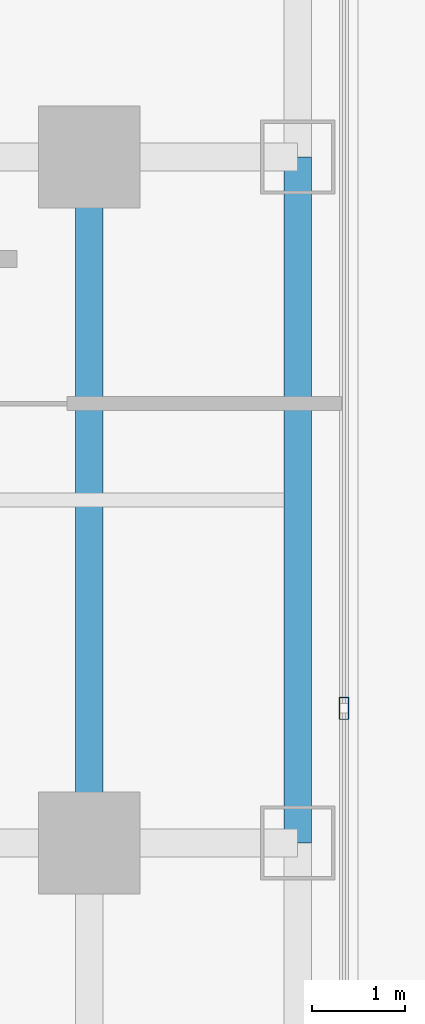
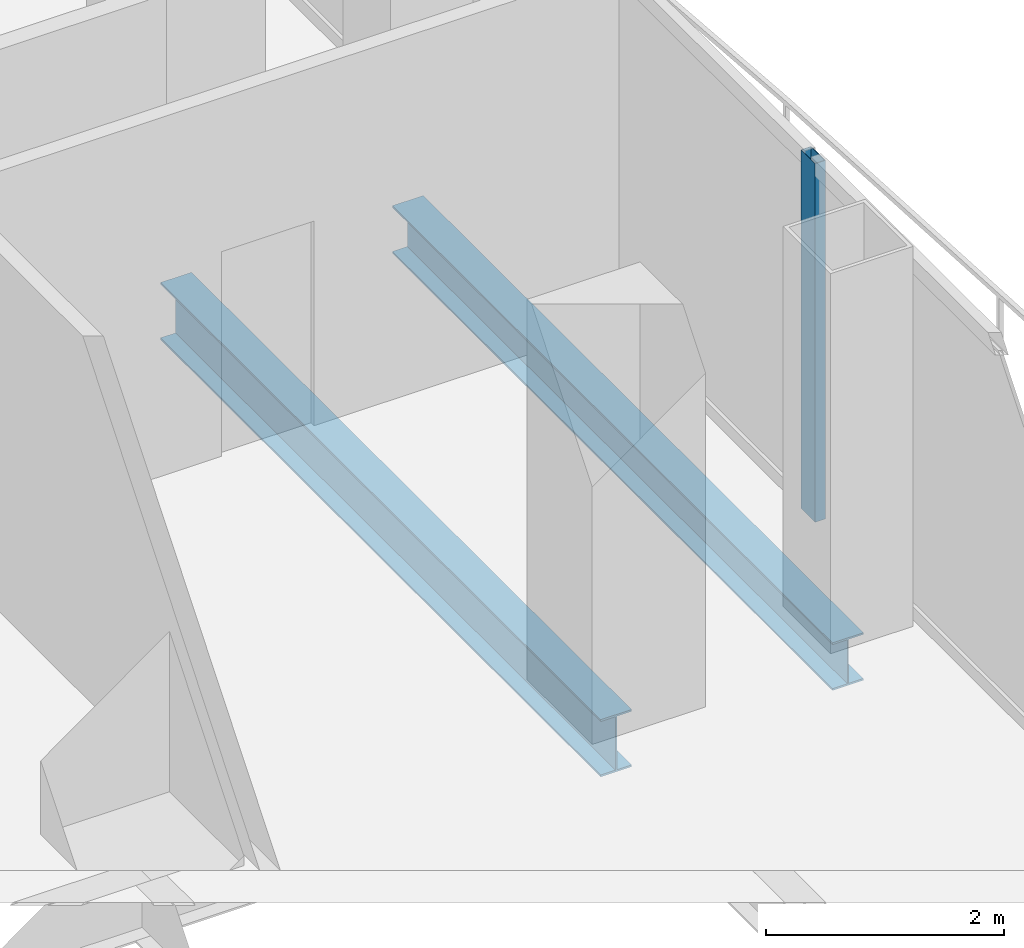
# One storey, part 11 of 28: 2 beams, 1 member, 1 element without a shape of its own.
"""IFC4 building model written with IfcOpenShell, lengths in metres."""

from ifc_helpers import new_model, si_unit, direction, frame, origin, origin_2d, place, context, subcontext, project, spatial, hollow_rectangle, i_section, extrude, material, layer, layer_set, material_profile, profile_set, type_object, element, aggregate, save


model = new_model("IFC4")

# Units and contexts
model_context = context("Model", 3, precision=1e-05, world=origin(), true_north=direction((0.0, 1.0)))
body_context = subcontext(model_context, "Body", "Model", "MODEL_VIEW")
ifc_project = project(units=[si_unit("LENGTHUNIT", "METRE"), si_unit("AREAUNIT", "SQUARE_METRE"), si_unit("VOLUMEUNIT", "CUBIC_METRE"), si_unit("PLANEANGLEUNIT", "RADIAN"), si_unit("MASSUNIT", "GRAM", prefix="KILO")], contexts=[model_context])

# Site, building, storey
site_placement = place(None, origin())
site = spatial("IfcSite", under=ifc_project, at=site_placement, CompositionType="ELEMENT")
building_placement = place(site_placement, origin())
building = spatial("IfcBuilding", under=site, at=building_placement, Name="Khorvyn Point Tower", CompositionType="ELEMENT")
storey_placement = place(building_placement, frame((0.0, 0.0, 100.800048828125)))
storey = spatial("IfcBuildingStorey", under=building, at=storey_placement, Name="L25", CompositionType="ELEMENT", Elevation=100.800048828125)

# Curtain wall, member
ifc_material_1 = material(Name="Anodised aluminium 6063-T6 and laminated Low-E glass", Category="aluminium")
ifc_layer = layer(ifc_material_1, 0.18994140625)
ifc_layer_set = layer_set([ifc_layer], Name="Stick-Built Finned Residential Curtain Wall CW-SYS-02")
curtain_wall_type = type_object("IfcCurtainWallType", Name="Stick-Built Finned Residential Curtain Wall CW-SYS-02", PredefinedType="NOTDEFINED", material=ifc_layer_set)
curtain_wall_placement = place(storey_placement, origin())
curtain_wall = element("IfcCurtainWall", 1, at=curtain_wall_placement, inside=storey, type_object=curtain_wall_type, Name="Curtain Wall", PredefinedType="NOTDEFINED")
ifc_material_2 = material(Name="Anodised aluminium 6063-T6", Category="aluminium")
ifc_material_profile_1 = material_profile(ifc_material_2, hollow_rectangle(XDim=0.10009765625, YDim=0.239990234375, WallThickness=0.0048828125, at=origin_2d()))
ifc_profile_set_1 = profile_set([ifc_material_profile_1], Name="Anodised aluminium 6063-T6 ALU-MUL-100x240")
member_type = type_object("IfcMemberType", Name="Anodised Aluminium 6063-T6 Mullion ALU-MUL-100x240", PredefinedType="MULLION", material=ifc_profile_set_1)
member_placement = place(storey_placement, frame((22.14990234375, 8.8515625, 0.0), z_axis=(0.0, 0.0, 1.0), x_axis=(1.0, 0.0, 0.0)))
member = element("IfcMember", 2, at=member_placement, type_object=member_type, Name="Transom", PredefinedType="MULLION", context=body_context, shape_type="SweptSolid", body=[
    extrude(hollow_rectangle(XDim=0.10009765625, YDim=0.239990234375, WallThickness=0.0048828125, at=origin_2d()), origin(), (0.0, 0.0, 1.0), 3.679931640625),
])
aggregate(curtain_wall, [member])

# Beams
ifc_material_3 = material(Name="Steel S355", Category="steel")
ifc_material_profile_2 = material_profile(ifc_material_3, i_section(OverallWidth=0.300048828125, OverallDepth=0.587890625, WebThickness=0.011962890625, FlangeThickness=0.02001953125, at=origin_2d()))
ifc_profile_set_2 = profile_set([ifc_material_profile_2], Name="Steel S355 H588x300x12x20")
beam_type_1 = type_object("IfcBeamType", Name="Steel S355 Beam H588x300x12x20", PredefinedType="BEAM", material=ifc_profile_set_2)
beam_1_placement = place(storey_placement, frame((19.39990234375, 7.39990234375, -0.51416015625), z_axis=(0.0, 1.0, 0.0), x_axis=(-1.0, 0.0, 0.0)))
element("IfcBeam", 3, at=beam_1_placement, inside=storey, type_object=beam_type_1, Name="Beam", PredefinedType="BEAM", context=body_context, shape_type="SweptSolid", body=[
    extrude(i_section(OverallWidth=0.300048828125, OverallDepth=0.587890625, WebThickness=0.011962890625, FlangeThickness=0.02001953125, at=origin_2d()), origin(), (0.0, 0.0, 1.0), 7.400146484375),
])
ifc_material_profile_3 = material_profile(ifc_material_3, i_section(OverallWidth=0.300048828125, OverallDepth=0.488037109375, WebThickness=0.010986328125, FlangeThickness=0.01806640625, at=origin_2d()))
ifc_profile_set_3 = profile_set([ifc_material_profile_3], Name="Steel S355 H488x300x11x18")
beam_type_2 = type_object("IfcBeamType", Name="Steel S355 Spandrel H488x300x11x18", PredefinedType="SPANDREL", material=ifc_profile_set_3)
beam_2_placement = place(storey_placement, frame((21.64990234375, 7.39990234375, -0.464111328125), z_axis=(0.0, 1.0, 0.0), x_axis=(-1.0, 0.0, 0.0)))
element("IfcBeam", 4, at=beam_2_placement, inside=storey, type_object=beam_type_2, Name="Beam", PredefinedType="SPANDREL", context=body_context, shape_type="SweptSolid", body=[
    extrude(i_section(OverallWidth=0.300048828125, OverallDepth=0.488037109375, WebThickness=0.010986328125, FlangeThickness=0.01806640625, at=origin_2d()), origin(), (0.0, 0.0, 1.0), 7.400146484375),
])

save(model, "model.ifc")
